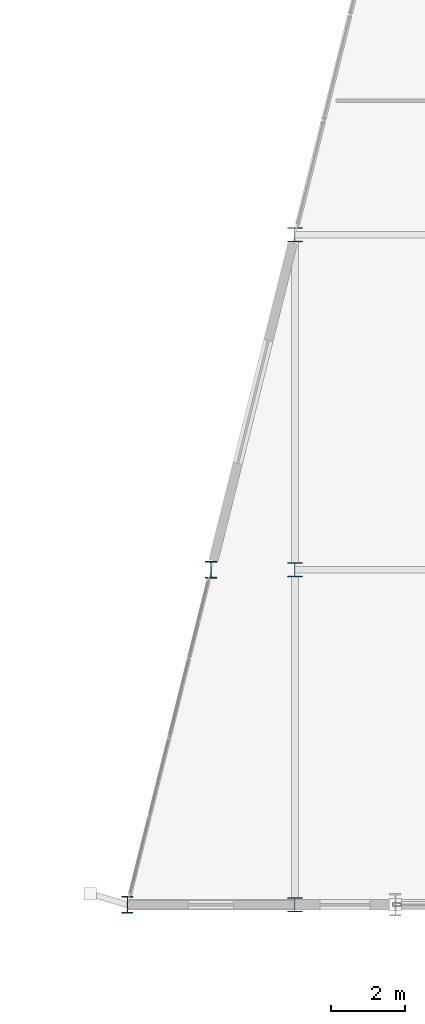
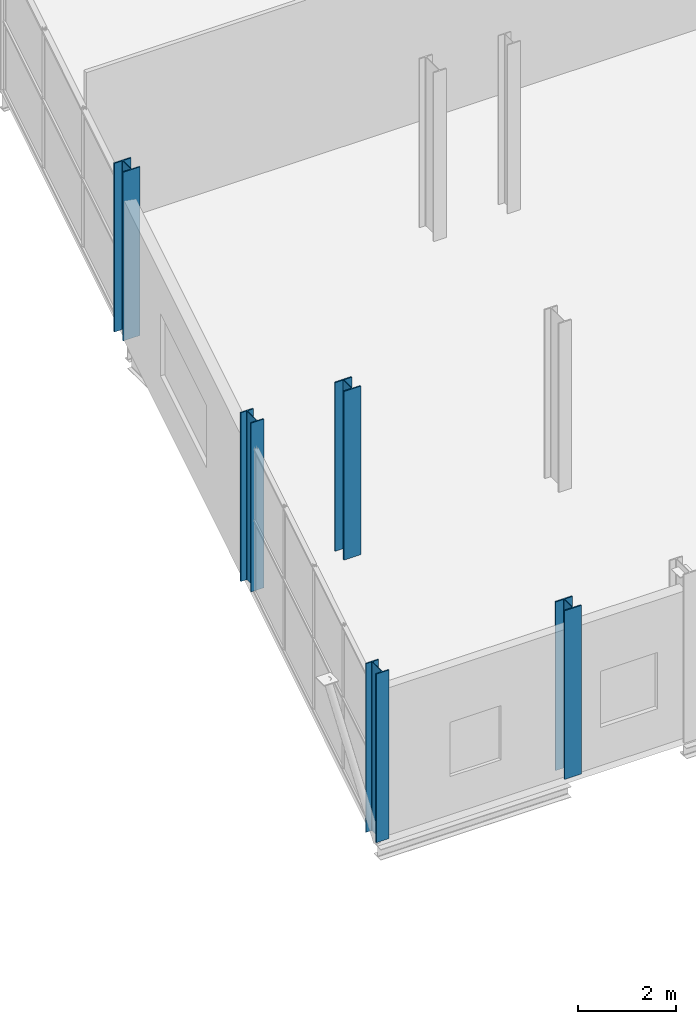
# One storey, part 1 of 88: 5 columns.
"""IFC4 building model written with IfcOpenShell, lengths in metres."""

from ifc_helpers import new_model, si_unit, direction, frame, origin, origin_2d, place, context, subcontext, project, spatial, i_section, extrude, material, material_profile, profile_set, type_object, element, save


model = new_model("IFC4")

# Units and contexts
model_context = context("Model", 3, precision=1e-05, world=origin(), true_north=direction((0.0, 1.0)))
body_context = subcontext(model_context, "Body", "Model", "MODEL_VIEW")
ifc_project = project(units=[si_unit("LENGTHUNIT", "METRE"), si_unit("AREAUNIT", "SQUARE_METRE"), si_unit("VOLUMEUNIT", "CUBIC_METRE"), si_unit("PLANEANGLEUNIT", "RADIAN"), si_unit("MASSUNIT", "GRAM", prefix="KILO")], contexts=[model_context])

# Site, building, storey
site_placement = place(None, origin())
site = spatial("IfcSite", under=ifc_project, at=site_placement, CompositionType="ELEMENT")
building_placement = place(site_placement, origin())
building = spatial("IfcBuilding", under=site, at=building_placement, Name="Deido Ridge Mobility Hub", CompositionType="ELEMENT")
storey_placement = place(building_placement, frame((0.0, 0.0, 16.800048828125)))
storey = spatial("IfcBuildingStorey", under=building, at=storey_placement, Name="L04", CompositionType="ELEMENT", Elevation=16.800048828125)

# Columns
ifc_material = material(Name="Steel S355J2 EN 10025-2", Category="steel")
ifc_material_profile_1 = material_profile(ifc_material, i_section(OverallWidth=0.39892578125, OverallDepth=0.39306640625, WebThickness=0.017578125, FlangeThickness=0.028076171875, FilletRadius=0.014892578125, at=origin_2d()), Name="HD 400x287")
ifc_profile_set_1 = profile_set([ifc_material_profile_1], Name="Steel S355J2 EN 10025-2")
column_type_1 = type_object("IfcColumnType", Name="COL-HD400-287", PredefinedType="COLUMN", material=ifc_profile_set_1)
for number, where, z_axis, x_axis, name in (
    (1, (126.0, 0.0, 0.0), (0.0, 0.0, 1.0), (1.0, 0.0, 0.0), "Structural column C2"),
    (2, (126.0, 9.0, 0.0), (0.0, 0.0, 1.0), (1.0, 0.0, 0.0), "Structural column C2"),
    (3, (126.0, 18.0, 0.0), (0.0, 0.0, 1.0), (1.0, 0.0, 0.0), "Structural column C2"),
):
    element("IfcColumn", number, at=place(storey_placement, frame(where, z_axis=z_axis, x_axis=x_axis)), inside=storey, type_object=column_type_1, Name=name, PredefinedType="COLUMN", context=body_context, shape_type="SweptSolid", body=[
        extrude(i_section(OverallWidth=0.39892578125, OverallDepth=0.39306640625, WebThickness=0.017578125, FlangeThickness=0.028076171875, FilletRadius=0.014892578125, at=origin_2d()), origin(), (0.0, 0.0, 1.0), 4.199951171875),
    ])
ifc_material_profile_2 = material_profile(ifc_material, i_section(OverallWidth=0.300048828125, OverallDepth=0.449951171875, WebThickness=0.013916015625, FlangeThickness=0.02587890625, FilletRadius=0.027099609375, at=origin_2d()), Name="HEB 450")
ifc_profile_set_2 = profile_set([ifc_material_profile_2], Name="Steel S355J2 EN 10025-2")
column_type_2 = type_object("IfcColumnType", Name="COL-HEB450", PredefinedType="COLUMN", material=ifc_profile_set_2)
for number, where, z_axis, x_axis, name in (
    (4, (121.5, 0.0, 0.0), (0.0, 0.0, 1.0), (1.0, 0.0, 0.0), "Structural column C6"),
    (5, (123.75, 9.0, 0.0), (0.0, 0.0, 1.0), (1.0, 0.0, 0.0), "Structural column C6"),
):
    element("IfcColumn", number, at=place(storey_placement, frame(where, z_axis=z_axis, x_axis=x_axis)), inside=storey, type_object=column_type_2, Name=name, PredefinedType="COLUMN", context=body_context, shape_type="SweptSolid", body=[
        extrude(i_section(OverallWidth=0.300048828125, OverallDepth=0.449951171875, WebThickness=0.013916015625, FlangeThickness=0.02587890625, FilletRadius=0.027099609375, at=origin_2d()), origin(), (0.0, 0.0, 1.0), 4.199951171875),
    ])

save(model, "model.ifc")
